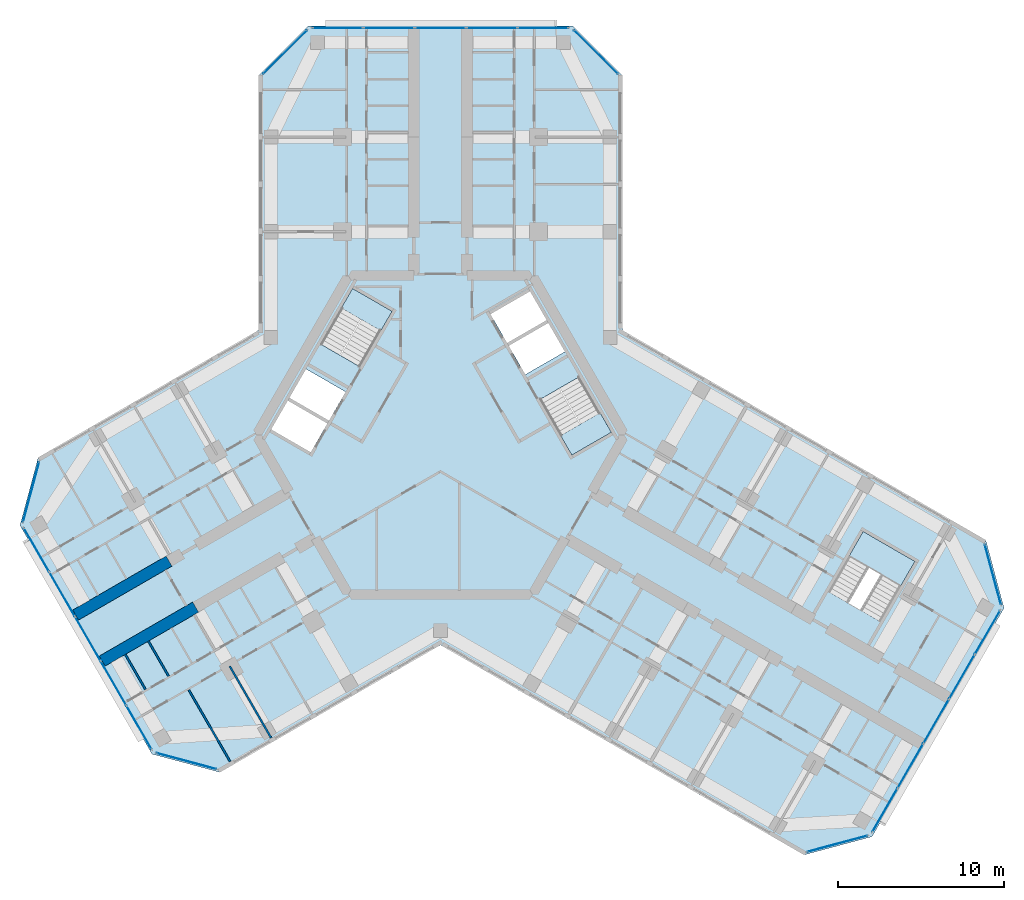
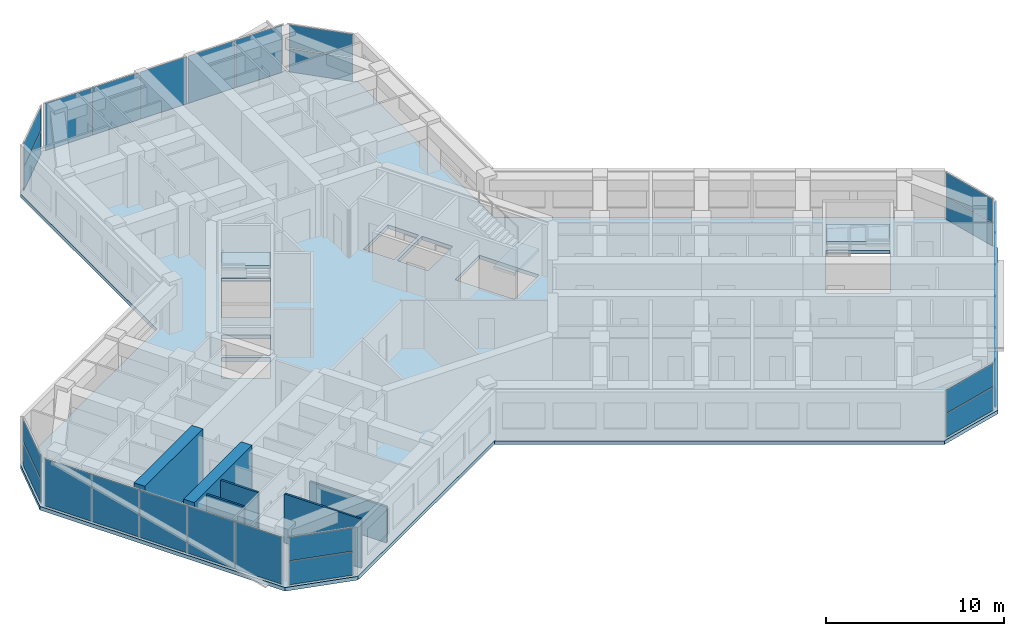
# One storey, part 7 of 16: 27 plates, 6 walls, 4 slabs, 12 elements without a shape of their own.
"""IFC4 building model written with IfcOpenShell, lengths in metres."""

from ifc_helpers import new_model, si_unit, direction, frame, frame_2d, origin, origin_2d, place, context, subcontext, project, spatial, polyline, rectangle, outline, extrude, material, layer, layer_set, type_object, element, aggregate, save


model = new_model("IFC4")

# Units and contexts
model_context = context("Model", 3, precision=1e-05, world=origin(), true_north=direction((0.0, 1.0)))
body_context = subcontext(model_context, "Body", "Model", "MODEL_VIEW")
ifc_project = project(units=[si_unit("LENGTHUNIT", "METRE"), si_unit("AREAUNIT", "SQUARE_METRE"), si_unit("VOLUMEUNIT", "CUBIC_METRE"), si_unit("PLANEANGLEUNIT", "RADIAN"), si_unit("MASSUNIT", "GRAM", prefix="KILO")], contexts=[model_context])

# Site, building, storey
site_placement = place(None, origin())
site = spatial("IfcSite", under=ifc_project, at=site_placement, CompositionType="ELEMENT")
building_placement = place(site_placement, origin())
building = spatial("IfcBuilding", under=site, at=building_placement, Name="Kosmar Iwan School Tower", CompositionType="ELEMENT")
storey_placement = place(building_placement, frame((0.0, 0.0, 249.60009765625)))
storey = spatial("IfcBuildingStorey", under=building, at=storey_placement, Name="L63", CompositionType="ELEMENT", Elevation=249.60009765625)

# Curtain wall, plates
ifc_material_1 = material(Name="Dark glass in black aluminium frame", Category="aluminium")
curtain_wall_type_1 = type_object("IfcCurtainWallType", Name="Chamfer curtain wall dark glass", PredefinedType="USERDEFINED", material=ifc_material_1)
curtain_wall_1_placement = place(storey_placement, origin())
curtain_wall_1 = element("IfcCurtainWall", 1, at=curtain_wall_1_placement, inside=storey, type_object=curtain_wall_type_1, Name="Curtain wall L63-F00", ObjectType="FACETED CURTAIN WALL", PredefinedType="USERDEFINED")
ifc_material_2 = material(Name="Dark glass", Category="glass")
ifc_layer_1 = layer(ifc_material_2, 0.028076171875)
ifc_layer_set_1 = layer_set([ifc_layer_1], Name="Dark glass panel 28")
plate_type = type_object("IfcPlateType", Name="Dark glass panel 28", PredefinedType="CURTAIN_PANEL", material=ifc_layer_set_1)
plate_1_placement = place(storey_placement, frame((23.908203125, -24.61328125, 0.059814453125), z_axis=(0.0, 0.0, 1.0), x_axis=(0.965925875495, 0.258818861462, 0.0)))
plate_1 = element("IfcPlate", 2, at=plate_1_placement, type_object=plate_type, Name="CW2 panel 1.1", PredefinedType="CURTAIN_PANEL", context=body_context, shape_type="SweptSolid", body=[
    extrude(rectangle(XDim=3.718994140625, YDim=0.028076171875, at=origin_2d()), origin(), (0.0, 0.0, 1.0), 1.5849609375),
])
plate_2_placement = place(storey_placement, frame((23.908203125, -24.61328125, 1.704833984375), z_axis=(0.0, 0.0, 1.0), x_axis=(0.965925875495, 0.258818861462, 0.0)))
plate_2 = element("IfcPlate", 3, at=plate_2_placement, type_object=plate_type, Name="CW2 panel 1.2", PredefinedType="CURTAIN_PANEL", context=body_context, shape_type="SweptSolid", body=[
    extrude(rectangle(XDim=3.718994140625, YDim=0.028076171875, at=origin_2d()), origin(), (0.0, 0.0, 1.0), 1.5849609375),
])
aggregate(curtain_wall_1, [plate_1, plate_2])

ifc_material_3 = material(Name="Dark glass in black aluminium frame", Category="aluminium")
curtain_wall_type_2 = type_object("IfcCurtainWallType", Name="Tower curtain wall dark glass", PredefinedType="USERDEFINED", material=ifc_material_3)
curtain_wall_2_placement = place(storey_placement, origin())
curtain_wall_2 = element("IfcCurtainWall", 4, at=curtain_wall_2_placement, inside=storey, type_object=curtain_wall_type_2, Name="Curtain wall L63-F01", ObjectType="UNITISED CURTAIN WALL", PredefinedType="USERDEFINED")
plate_3_placement = place(storey_placement, frame((26.764404296875, -22.592529296875, 0.059814453125), z_axis=(0.0, 0.0, 1.0), x_axis=(0.499999997325, 0.866025405329, 0.0)))
plate_3 = element("IfcPlate", 5, at=plate_3_placement, type_object=plate_type, Name="CW1 panel 1.1", PredefinedType="CURTAIN_PANEL", context=body_context, shape_type="SweptSolid", body=[
    extrude(rectangle(XDim=3.00927734375, YDim=0.028076171875, at=origin_2d()), origin(), (0.0, 0.0, 1.0), 3.22998046875),
])
plate_4_placement = place(storey_placement, frame((28.306640625, -19.921630859375, 0.059814453125), z_axis=(0.0, 0.0, 1.0), x_axis=(0.499999997325, 0.866025405329, 0.0)))
plate_4 = element("IfcPlate", 6, at=plate_4_placement, type_object=plate_type, Name="CW1 panel 2.1", PredefinedType="CURTAIN_PANEL", context=body_context, shape_type="SweptSolid", body=[
    extrude(rectangle(XDim=3.039306640625, YDim=0.028076171875, at=origin_2d()), origin(), (0.0, 0.0, 1.0), 3.22998046875),
])
plate_5_placement = place(storey_placement, frame((29.856201171875, -17.237548828125, 0.059814453125), z_axis=(0.0, 0.0, 1.0), x_axis=(0.499999997325, 0.866025405329, 0.0)))
plate_5 = element("IfcPlate", 7, at=plate_5_placement, type_object=plate_type, Name="CW1 panel 3.1", PredefinedType="CURTAIN_PANEL", context=body_context, shape_type="SweptSolid", body=[
    extrude(rectangle(XDim=3.039306640625, YDim=0.028076171875, at=origin_2d()), origin(), (0.0, 0.0, 1.0), 3.22998046875),
])
plate_6_placement = place(storey_placement, frame((31.40576171875, -14.553466796875, 0.059814453125), z_axis=(0.0, 0.0, 1.0), x_axis=(0.499999997325, 0.866025405329, 0.0)))
plate_6 = element("IfcPlate", 8, at=plate_6_placement, type_object=plate_type, Name="CW1 panel 4.1", PredefinedType="CURTAIN_PANEL", context=body_context, shape_type="SweptSolid", body=[
    extrude(rectangle(XDim=3.039306640625, YDim=0.028076171875, at=origin_2d()), origin(), (0.0, 0.0, 1.0), 3.22998046875),
])
plate_7_placement = place(storey_placement, frame((32.947998046875, -11.88232421875, 0.059814453125), z_axis=(0.0, 0.0, 1.0), x_axis=(0.499999997325, 0.866025405329, 0.0)))
plate_7 = element("IfcPlate", 9, at=plate_7_placement, type_object=plate_type, Name="CW1 panel 5.1", PredefinedType="CURTAIN_PANEL", context=body_context, shape_type="SweptSolid", body=[
    extrude(rectangle(XDim=3.00927734375, YDim=0.028076171875, at=origin_2d()), origin(), (0.0, 0.0, 1.0), 3.22998046875),
])
aggregate(curtain_wall_2, [plate_3, plate_4, plate_5, plate_6, plate_7])

curtain_wall_3_placement = place(storey_placement, origin())
curtain_wall_3 = element("IfcCurtainWall", 10, at=curtain_wall_3_placement, inside=storey, type_object=curtain_wall_type_1, Name="Curtain wall L63-F02", ObjectType="FACETED CURTAIN WALL", PredefinedType="USERDEFINED")
plate_8_placement = place(storey_placement, frame((33.269775390625, -8.3984375, 0.059814453125), z_axis=(0.0, 0.0, 1.0), x_axis=(-0.258818861462, 0.965925875495, 0.0)))
plate_8 = element("IfcPlate", 11, at=plate_8_placement, type_object=plate_type, Name="CW2 panel 1.1", PredefinedType="CURTAIN_PANEL", context=body_context, shape_type="SweptSolid", body=[
    extrude(rectangle(XDim=3.718994140625, YDim=0.028076171875, at=origin_2d()), origin(), (0.0, 0.0, 1.0), 1.5849609375),
])
plate_9_placement = place(storey_placement, frame((33.269775390625, -8.3984375, 1.704833984375), z_axis=(0.0, 0.0, 1.0), x_axis=(-0.258818861462, 0.965925875495, 0.0)))
plate_9 = element("IfcPlate", 12, at=plate_9_placement, type_object=plate_type, Name="CW2 panel 1.2", PredefinedType="CURTAIN_PANEL", context=body_context, shape_type="SweptSolid", body=[
    extrude(rectangle(XDim=3.718994140625, YDim=0.028076171875, at=origin_2d()), origin(), (0.0, 0.0, 1.0), 1.5849609375),
])
aggregate(curtain_wall_3, [plate_8, plate_9])

curtain_wall_4_placement = place(storey_placement, origin())
curtain_wall_4 = element("IfcCurtainWall", 13, at=curtain_wall_4_placement, inside=storey, type_object=curtain_wall_type_1, Name="Curtain wall L63-F05", ObjectType="FACETED CURTAIN WALL", PredefinedType="USERDEFINED")
plate_10_placement = place(storey_placement, frame((9.361572265625, 23.0615234375, 0.059814453125), z_axis=(0.0, 0.0, 1.0), x_axis=(-0.707106781187, 0.707106781187, 0.0)))
plate_10 = element("IfcPlate", 14, at=plate_10_placement, type_object=plate_type, Name="CW2 panel 1.1", PredefinedType="CURTAIN_PANEL", context=body_context, shape_type="SweptSolid", body=[
    extrude(rectangle(XDim=3.718994140625, YDim=0.028076171875, at=origin_2d()), origin(), (0.0, 0.0, 1.0), 1.5849609375),
])
plate_11_placement = place(storey_placement, frame((9.361572265625, 23.0615234375, 1.704833984375), z_axis=(0.0, 0.0, 1.0), x_axis=(-0.707106781187, 0.707106781187, 0.0)))
plate_11 = element("IfcPlate", 15, at=plate_11_placement, type_object=plate_type, Name="CW2 panel 1.2", PredefinedType="CURTAIN_PANEL", context=body_context, shape_type="SweptSolid", body=[
    extrude(rectangle(XDim=3.718994140625, YDim=0.028076171875, at=origin_2d()), origin(), (0.0, 0.0, 1.0), 1.5849609375),
])
aggregate(curtain_wall_4, [plate_10, plate_11])

curtain_wall_5_placement = place(storey_placement, origin())
curtain_wall_5 = element("IfcCurtainWall", 16, at=curtain_wall_5_placement, inside=storey, type_object=curtain_wall_type_2, Name="Curtain wall L63-F06", ObjectType="UNITISED CURTAIN WALL", PredefinedType="USERDEFINED")
plate_12_placement = place(storey_placement, frame((6.18359375, 24.52490234375, 0.059814453125), z_axis=(0.0, 0.0, 1.0), x_axis=(-1.0, 0.0, 0.0)))
plate_12 = element("IfcPlate", 17, at=plate_12_placement, type_object=plate_type, Name="CW1 panel 1.1", PredefinedType="CURTAIN_PANEL", context=body_context, shape_type="SweptSolid", body=[
    extrude(rectangle(XDim=3.00927734375, YDim=0.028076171875, at=origin_2d()), origin(), (0.0, 0.0, 1.0), 3.22998046875),
])
plate_13_placement = place(storey_placement, frame((3.099365234375, 24.52490234375, 0.059814453125), z_axis=(0.0, 0.0, 1.0), x_axis=(-1.0, 0.0, 0.0)))
plate_13 = element("IfcPlate", 18, at=plate_13_placement, type_object=plate_type, Name="CW1 panel 2.1", PredefinedType="CURTAIN_PANEL", context=body_context, shape_type="SweptSolid", body=[
    extrude(rectangle(XDim=3.039306640625, YDim=0.028076171875, at=origin_2d()), origin(), (0.0, 0.0, 1.0), 3.22998046875),
])
plate_14_placement = place(storey_placement, frame((0.0, 24.52490234375, 0.059814453125), z_axis=(0.0, 0.0, 1.0), x_axis=(-1.0, 0.0, 0.0)))
plate_14 = element("IfcPlate", 19, at=plate_14_placement, type_object=plate_type, Name="CW1 panel 3.1", PredefinedType="CURTAIN_PANEL", context=body_context, shape_type="SweptSolid", body=[
    extrude(rectangle(XDim=3.039306640625, YDim=0.028076171875, at=origin_2d()), origin(), (0.0, 0.0, 1.0), 3.22998046875),
])
plate_15_placement = place(storey_placement, frame((-3.099365234375, 24.52490234375, 0.059814453125), z_axis=(0.0, 0.0, 1.0), x_axis=(-1.0, 0.0, 0.0)))
plate_15 = element("IfcPlate", 20, at=plate_15_placement, type_object=plate_type, Name="CW1 panel 4.1", PredefinedType="CURTAIN_PANEL", context=body_context, shape_type="SweptSolid", body=[
    extrude(rectangle(XDim=3.039306640625, YDim=0.028076171875, at=origin_2d()), origin(), (0.0, 0.0, 1.0), 3.22998046875),
])
plate_16_placement = place(storey_placement, frame((-6.18359375, 24.52490234375, 0.059814453125), z_axis=(0.0, 0.0, 1.0), x_axis=(-1.0, 0.0, 0.0)))
plate_16 = element("IfcPlate", 21, at=plate_16_placement, type_object=plate_type, Name="CW1 panel 5.1", PredefinedType="CURTAIN_PANEL", context=body_context, shape_type="SweptSolid", body=[
    extrude(rectangle(XDim=3.00927734375, YDim=0.028076171875, at=origin_2d()), origin(), (0.0, 0.0, 1.0), 3.22998046875),
])
aggregate(curtain_wall_5, [plate_12, plate_13, plate_14, plate_15, plate_16])

curtain_wall_6_placement = place(storey_placement, origin())
curtain_wall_6 = element("IfcCurtainWall", 22, at=curtain_wall_6_placement, inside=storey, type_object=curtain_wall_type_1, Name="Curtain wall L63-F07", ObjectType="FACETED CURTAIN WALL", PredefinedType="USERDEFINED")
plate_17_placement = place(storey_placement, frame((-9.361572265625, 23.0615234375, 0.059814453125), z_axis=(0.0, 0.0, 1.0), x_axis=(-0.707106781187, -0.707106781187, 0.0)))
plate_17 = element("IfcPlate", 23, at=plate_17_placement, type_object=plate_type, Name="CW2 panel 1.1", PredefinedType="CURTAIN_PANEL", context=body_context, shape_type="SweptSolid", body=[
    extrude(rectangle(XDim=3.718994140625, YDim=0.028076171875, at=origin_2d()), origin(), (0.0, 0.0, 1.0), 1.5849609375),
])
plate_18_placement = place(storey_placement, frame((-9.361572265625, 23.0615234375, 1.704833984375), z_axis=(0.0, 0.0, 1.0), x_axis=(-0.707106781187, -0.707106781187, 0.0)))
plate_18 = element("IfcPlate", 24, at=plate_18_placement, type_object=plate_type, Name="CW2 panel 1.2", PredefinedType="CURTAIN_PANEL", context=body_context, shape_type="SweptSolid", body=[
    extrude(rectangle(XDim=3.718994140625, YDim=0.028076171875, at=origin_2d()), origin(), (0.0, 0.0, 1.0), 1.5849609375),
])
aggregate(curtain_wall_6, [plate_17, plate_18])

curtain_wall_7_placement = place(storey_placement, origin())
curtain_wall_7 = element("IfcCurtainWall", 25, at=curtain_wall_7_placement, inside=storey, type_object=curtain_wall_type_1, Name="Curtain wall L63-F10", ObjectType="FACETED CURTAIN WALL", PredefinedType="USERDEFINED")
plate_19_placement = place(storey_placement, frame((-24.65283203125, -3.42333984375, 0.059814453125), z_axis=(0.0, 0.0, 1.0), x_axis=(-0.258818861462, -0.965925875495, 0.0)))
plate_19 = element("IfcPlate", 26, at=plate_19_placement, type_object=plate_type, Name="CW2 panel 1.1", PredefinedType="CURTAIN_PANEL", context=body_context, shape_type="SweptSolid", body=[
    extrude(rectangle(XDim=3.718994140625, YDim=0.028076171875, at=origin_2d()), origin(), (0.0, 0.0, 1.0), 1.5849609375),
])
plate_20_placement = place(storey_placement, frame((-24.65283203125, -3.42333984375, 1.704833984375), z_axis=(0.0, 0.0, 1.0), x_axis=(-0.258818861462, -0.965925875495, 0.0)))
plate_20 = element("IfcPlate", 27, at=plate_20_placement, type_object=plate_type, Name="CW2 panel 1.2", PredefinedType="CURTAIN_PANEL", context=body_context, shape_type="SweptSolid", body=[
    extrude(rectangle(XDim=3.718994140625, YDim=0.028076171875, at=origin_2d()), origin(), (0.0, 0.0, 1.0), 1.5849609375),
])
aggregate(curtain_wall_7, [plate_19, plate_20])

curtain_wall_8_placement = place(storey_placement, origin())
curtain_wall_8 = element("IfcCurtainWall", 28, at=curtain_wall_8_placement, inside=storey, type_object=curtain_wall_type_2, Name="Curtain wall L63-F11", ObjectType="UNITISED CURTAIN WALL", PredefinedType="USERDEFINED")
plate_21_placement = place(storey_placement, frame((-24.3310546875, -6.907470703125, 0.059814453125), z_axis=(0.0, 0.0, 1.0), x_axis=(0.499999997325, -0.866025405329, 0.0)))
plate_21 = element("IfcPlate", 29, at=plate_21_placement, type_object=plate_type, Name="CW1 panel 1.1", PredefinedType="CURTAIN_PANEL", context=body_context, shape_type="SweptSolid", body=[
    extrude(rectangle(XDim=3.00927734375, YDim=0.028076171875, at=origin_2d()), origin(), (0.0, 0.0, 1.0), 3.22998046875),
])
plate_22_placement = place(storey_placement, frame((-22.788818359375, -9.578369140625, 0.059814453125), z_axis=(0.0, 0.0, 1.0), x_axis=(0.499999997325, -0.866025405329, 0.0)))
plate_22 = element("IfcPlate", 30, at=plate_22_placement, type_object=plate_type, Name="CW1 panel 2.1", PredefinedType="CURTAIN_PANEL", context=body_context, shape_type="SweptSolid", body=[
    extrude(rectangle(XDim=3.039306640625, YDim=0.028076171875, at=origin_2d()), origin(), (0.0, 0.0, 1.0), 3.22998046875),
])
plate_23_placement = place(storey_placement, frame((-21.2392578125, -12.262451171875, 0.059814453125), z_axis=(0.0, 0.0, 1.0), x_axis=(0.499999997325, -0.866025405329, 0.0)))
plate_23 = element("IfcPlate", 31, at=plate_23_placement, type_object=plate_type, Name="CW1 panel 3.1", PredefinedType="CURTAIN_PANEL", context=body_context, shape_type="SweptSolid", body=[
    extrude(rectangle(XDim=3.039306640625, YDim=0.028076171875, at=origin_2d()), origin(), (0.0, 0.0, 1.0), 3.22998046875),
])
plate_24_placement = place(storey_placement, frame((-19.689697265625, -14.946533203125, 0.059814453125), z_axis=(0.0, 0.0, 1.0), x_axis=(0.499999997325, -0.866025405329, 0.0)))
plate_24 = element("IfcPlate", 32, at=plate_24_placement, type_object=plate_type, Name="CW1 panel 4.1", PredefinedType="CURTAIN_PANEL", context=body_context, shape_type="SweptSolid", body=[
    extrude(rectangle(XDim=3.039306640625, YDim=0.028076171875, at=origin_2d()), origin(), (0.0, 0.0, 1.0), 3.22998046875),
])
plate_25_placement = place(storey_placement, frame((-18.1474609375, -17.61767578125, 0.059814453125), z_axis=(0.0, 0.0, 1.0), x_axis=(0.499999997325, -0.866025405329, 0.0)))
plate_25 = element("IfcPlate", 33, at=plate_25_placement, type_object=plate_type, Name="CW1 panel 5.1", PredefinedType="CURTAIN_PANEL", context=body_context, shape_type="SweptSolid", body=[
    extrude(rectangle(XDim=3.00927734375, YDim=0.028076171875, at=origin_2d()), origin(), (0.0, 0.0, 1.0), 3.22998046875),
])
aggregate(curtain_wall_8, [plate_21, plate_22, plate_23, plate_24, plate_25])

curtain_wall_9_placement = place(storey_placement, origin())
curtain_wall_9 = element("IfcCurtainWall", 34, at=curtain_wall_9_placement, inside=storey, type_object=curtain_wall_type_1, Name="Curtain wall L63-F12", ObjectType="FACETED CURTAIN WALL", PredefinedType="USERDEFINED")
plate_26_placement = place(storey_placement, frame((-15.291015625, -19.63818359375, 0.059814453125), z_axis=(0.0, 0.0, 1.0), x_axis=(0.965925875495, -0.258818861462, 0.0)))
plate_26 = element("IfcPlate", 35, at=plate_26_placement, type_object=plate_type, Name="CW2 panel 1.1", PredefinedType="CURTAIN_PANEL", context=body_context, shape_type="SweptSolid", body=[
    extrude(rectangle(XDim=3.718994140625, YDim=0.028076171875, at=origin_2d()), origin(), (0.0, 0.0, 1.0), 1.5849609375),
])
plate_27_placement = place(storey_placement, frame((-15.291015625, -19.63818359375, 1.704833984375), z_axis=(0.0, 0.0, 1.0), x_axis=(0.965925875495, -0.258818861462, 0.0)))
plate_27 = element("IfcPlate", 36, at=plate_27_placement, type_object=plate_type, Name="CW2 panel 1.2", PredefinedType="CURTAIN_PANEL", context=body_context, shape_type="SweptSolid", body=[
    extrude(rectangle(XDim=3.718994140625, YDim=0.028076171875, at=origin_2d()), origin(), (0.0, 0.0, 1.0), 1.5849609375),
])
aggregate(curtain_wall_9, [plate_26, plate_27])

# Stair, slab
ifc_material_4 = material(Name="Concrete C35/45", Category="concrete")
stair_type_1 = type_object("IfcStairType", Name="Escape stair 3600", PredefinedType="HALF_TURN_STAIR", material=ifc_material_4)
stair_1_placement = place(storey_placement, origin())
stair_1 = element("IfcStair", 37, at=stair_1_placement, inside=storey, type_object=stair_type_1, Name="Stair WS3 L63", PredefinedType="HALF_TURN_STAIR")
ifc_material_5 = material(Name="Concrete C35/45", Category="concrete")
ifc_layer_2 = layer(ifc_material_5, 0.199951171875)
ifc_layer_set_2 = layer_set([ifc_layer_2], Name="Escape stair landing 200")
slab_type_1 = type_object("IfcSlabType", Name="Escape stair landing 200", PredefinedType="LANDING", material=ifc_layer_set_2)
slab_1_placement = place(storey_placement, frame((0.0, 0.0, 1.599853515625)))
slab_1 = element("IfcSlab", 38, at=slab_1_placement, type_object=slab_type_1, Name="WS3 landing 1", PredefinedType="LANDING", context=body_context, shape_type="SweptSolid", body=[
    extrude(outline(polyline([(24.607421875, -7.27880859375), (27.72509765625, -9.078857421875), (28.574951171875, -7.606689453125), (25.457275390625, -5.806640625), (24.607421875, -7.27880859375)])), origin(), (0.0, 0.0, 1.0), 0.199951171875),
])
aggregate(stair_1, [slab_1])

# Slab
ifc_material_6 = material(Name="Concrete C35/45", Category="concrete")
ifc_layer_3 = layer(ifc_material_6, 0.25)
ifc_layer_set_3 = layer_set([ifc_layer_3], Name="Floor slab 250")
slab_type_2 = type_object("IfcSlabType", Name="Floor slab 250", PredefinedType="FLOOR", material=ifc_layer_set_3)
slab_2_placement = place(storey_placement, frame((0.0, 0.0, -0.25)))
element("IfcSlab", 39, at=slab_2_placement, inside=storey, type_object=slab_type_2, Name="L63 floor slab", PredefinedType="FLOOR", context=body_context, shape_type="SweptSolid", body=[
    extrude(outline(polyline([(21.891357421875, -25.282958984375), (25.989501953125, -24.184814453125), (33.939453125, -10.4150390625), (32.84130859375, -6.317138671875), (10.949951171875, 6.322021484375), (10.949951171875, 21.64990234375), (7.949951171875, 24.64990234375), (-7.949951171875, 24.64990234375), (-10.949951171875, 21.64990234375), (-10.949951171875, 6.322021484375), (-24.224365234375, -1.342041015625), (-25.322509765625, -5.440185546875), (-17.37255859375, -19.2099609375), (-13.2744140625, -20.307861328125), (0.0, -12.64404296875), (21.891357421875, -25.282958984375)]), holes=[polyline([(7.91259765625, -1.205078125), (10.294189453125, 0.169921875), (8.3642578125, 3.5126953125), (5.982666015625, 2.1376953125), (7.91259765625, -1.205078125)]), polyline([(-2.91259765625, 7.455078125), (-5.294189453125, 8.830078125), (-7.22412109375, 5.4873046875), (-4.8427734375, 4.1123046875), (-2.91259765625, 7.455078125)]), polyline([(-5.712646484375, 2.60546875), (-8.09423828125, 3.98046875), (-9.09423828125, 2.248291015625), (-6.712646484375, 0.873291015625), (-5.712646484375, 2.60546875)]), polyline([(-6.812744140625, 0.7001953125), (-9.1943359375, 2.0751953125), (-10.1943359375, 0.343017578125), (-7.812744140625, -1.031982421875), (-6.812744140625, 0.7001953125)]), polyline([(5.112548828125, 3.64453125), (7.494140625, 5.01953125), (6.494140625, 6.751708984375), (4.112548828125, 5.376708984375), (5.112548828125, 3.64453125)]), polyline([(4.0126953125, 5.5498046875), (6.394287109375, 6.9248046875), (5.394287109375, 8.656982421875), (3.0126953125, 7.281982421875), (4.0126953125, 5.5498046875)]), polyline([(23.367431640625, -9.426513671875), (26.485107421875, -11.2265625), (28.574951171875, -7.606689453125), (25.457275390625, -5.806640625), (23.367431640625, -9.426513671875)])]), origin(), (0.0, 0.0, 1.0), 0.25),
])

# Stair, slab
ifc_material_7 = material(Name="Concrete C35/45", Category="concrete")
stair_type_2 = type_object("IfcStairType", Name="Core stair 2750", PredefinedType="HALF_TURN_STAIR", material=ifc_material_7)
stair_2_placement = place(storey_placement, origin())
stair_2 = element("IfcStair", 40, at=stair_2_placement, inside=storey, type_object=stair_type_2, Name="Stair ST2 L63", PredefinedType="HALF_TURN_STAIR")
ifc_material_8 = material(Name="Concrete C35/45", Category="concrete")
ifc_layer_4 = layer(ifc_material_8, 0.199951171875)
ifc_layer_set_4 = layer_set([ifc_layer_4], Name="Stair landing 200")
slab_type_3 = type_object("IfcSlabType", Name="Stair landing 200", PredefinedType="LANDING", material=ifc_layer_set_4)
slab_3_placement = place(storey_placement, frame((0.0, 0.0, 1.599853515625)))
slab_3 = element("IfcSlab", 41, at=slab_3_placement, type_object=slab_type_3, Name="ST2 landing 1", PredefinedType="LANDING", context=body_context, shape_type="SweptSolid", body=[
    extrude(outline(polyline([(-2.91259765625, 7.455078125), (-5.294189453125, 8.830078125), (-5.97412109375, 7.65234375), (-3.5927734375, 6.27734375), (-2.91259765625, 7.455078125)])), origin(), (0.0, 0.0, 1.0), 0.199951171875),
])
aggregate(stair_2, [slab_3])

stair_3_placement = place(storey_placement, origin())
stair_3 = element("IfcStair", 42, at=stair_3_placement, inside=storey, type_object=stair_type_2, Name="Stair ST1 L63", PredefinedType="HALF_TURN_STAIR")
slab_4_placement = place(storey_placement, frame((0.0, 0.0, 1.599853515625)))
slab_4 = element("IfcSlab", 43, at=slab_4_placement, type_object=slab_type_3, Name="ST1 landing 1", PredefinedType="LANDING", context=body_context, shape_type="SweptSolid", body=[
    extrude(outline(polyline([(7.91259765625, -1.205078125), (10.294189453125, 0.169921875), (9.6142578125, 1.34765625), (7.232666015625, -0.02734375), (7.91259765625, -1.205078125)])), origin(), (0.0, 0.0, 1.0), 0.199951171875),
])
aggregate(stair_3, [slab_4])

# Walls
ifc_material_9 = material(Name="Concrete C50/60", Category="concrete")
ifc_layer_5 = layer(ifc_material_9, 0.699951171875)
ifc_layer_set_5 = layer_set([ifc_layer_5], Name="Corridor buttress wall 700")
wall_type_1 = type_object("IfcWallType", Name="Corridor buttress wall 700", PredefinedType="SHEAR", material=ifc_layer_set_5)
wall_1_placement = place(storey_placement, frame((-14.7451171875, -10.360595703125, 0.0), z_axis=(0.0, 0.0, 1.0), x_axis=(-0.866027848477, -0.499995765644, 0.0)))
element("IfcWall", 44, at=wall_1_placement, inside=storey, type_object=wall_type_1, Name="Corridor wall BL bay 2", PredefinedType="SHEAR", context=body_context, shape_type="SweptSolid", body=[
    extrude(rectangle(XDim=6.4951171875, YDim=0.699951171875, at=frame_2d((3.24755859375, 0.0))), origin(), (0.0, 0.0, 1.0), 3.599853515625),
])
wall_2_placement = place(storey_placement, frame((-16.34521484375, -7.58935546875, 0.0), z_axis=(0.0, 0.0, 1.0), x_axis=(-0.866018451174, -0.500012042081, 0.0)))
element("IfcWall", 45, at=wall_2_placement, inside=storey, type_object=wall_type_1, Name="Corridor wall BR bay 2", PredefinedType="SHEAR", context=body_context, shape_type="SweptSolid", body=[
    extrude(rectangle(XDim=6.494873046875, YDim=0.699951171875, at=frame_2d((3.24755859375, 0.0))), origin(), (0.0, 0.0, 1.0), 3.599853515625),
])
ifc_material_10 = material(Name="Gypsum board on steel studs", Category="steel")
ifc_layer_6 = layer(ifc_material_10, 0.1201171875)
ifc_layer_set_6 = layer_set([ifc_layer_6], Name="Dwelling partition 120")
wall_type_2 = type_object("IfcWallType", Name="Dwelling partition 120", PredefinedType="PARTITIONING", material=ifc_layer_set_6)
wall_3_placement = place(storey_placement, frame((-12.690185546875, -13.919921875, 0.0), z_axis=(0.0, 0.0, 1.0), x_axis=(0.500011847778, -0.866018563358, 0.0)))
element("IfcWall", 46, at=wall_3_placement, inside=storey, type_object=wall_type_2, Name="Partition L63-BL1-X2", PredefinedType="PARTITIONING", context=body_context, shape_type="SweptSolid", body=[
    extrude(rectangle(XDim=4.990234375, YDim=0.1201171875, at=frame_2d((2.4951171875, 0.0))), origin(), (0.0, 0.0, 1.0), 2.449951171875),
])
wall_4_placement = place(storey_placement, frame((-15.158447265625, -15.344970703125, 0.0), z_axis=(0.0, 0.0, 1.0), x_axis=(0.500011847778, -0.866018563358, 0.0)))
element("IfcWall", 47, at=wall_4_placement, inside=storey, type_object=wall_type_2, Name="Partition L63-BL1-X3", PredefinedType="PARTITIONING", context=body_context, shape_type="SweptSolid", body=[
    extrude(rectangle(XDim=4.990234375, YDim=0.1201171875, at=frame_2d((2.4951171875, 0.0))), origin(), (0.0, 0.0, 1.0), 3.349853515625),
])
wall_5_placement = place(storey_placement, frame((-17.589599609375, -12.406982421875, 0.0), z_axis=(0.0, 0.0, 1.0), x_axis=(0.499959183527, -0.866048967903, 0.0)))
element("IfcWall", 48, at=wall_5_placement, inside=storey, type_object=wall_type_2, Name="Partition L63-BL1-Y6", PredefinedType="PARTITIONING", context=body_context, shape_type="SweptSolid", body=[
    extrude(rectangle(XDim=2.440185546875, YDim=0.1201171875, at=frame_2d((1.22021484375, 0.0))), origin(), (0.0, 0.0, 1.0), 3.349853515625),
])
wall_6_placement = place(storey_placement, frame((-18.981201171875, -13.21044921875, 0.0), z_axis=(0.0, 0.0, 1.0), x_axis=(0.500077547548, -0.865980627057, 0.0)))
element("IfcWall", 49, at=wall_6_placement, inside=storey, type_object=wall_type_2, Name="Partition L63-BL1-Y7", PredefinedType="PARTITIONING", context=body_context, shape_type="SweptSolid", body=[
    extrude(rectangle(XDim=2.43994140625, YDim=0.1201171875, at=frame_2d((1.219970703125, 0.0))), origin(), (0.0, 0.0, 1.0), 3.349853515625),
])

save(model, "model.ifc")
